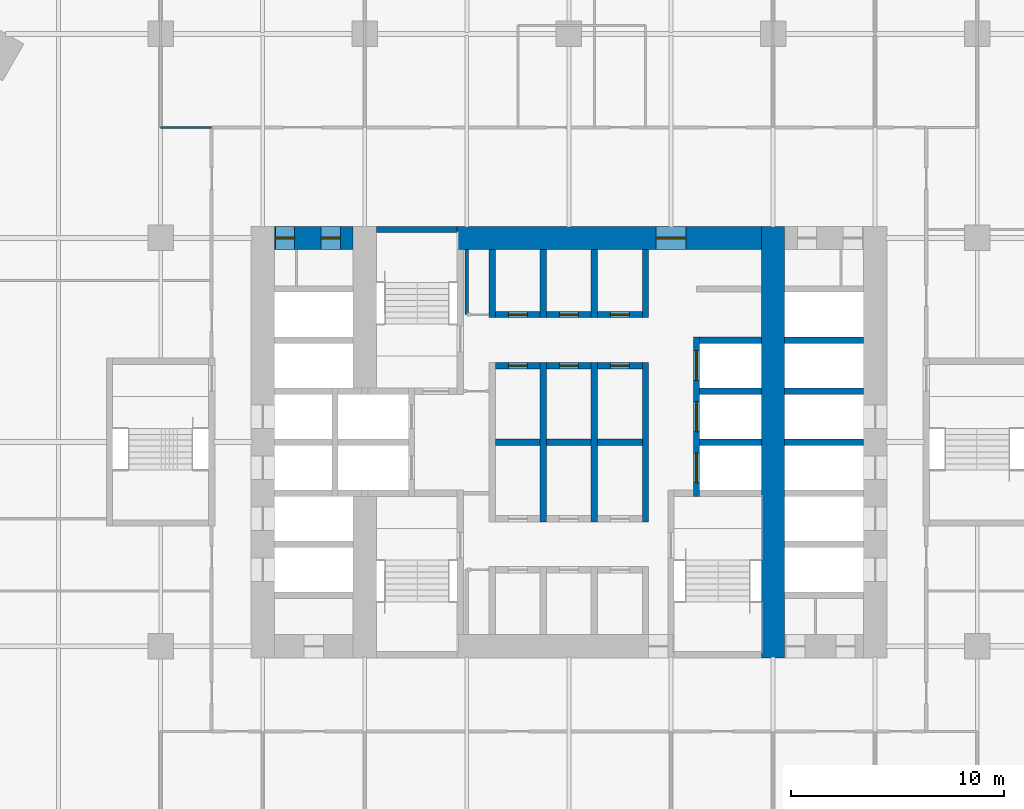
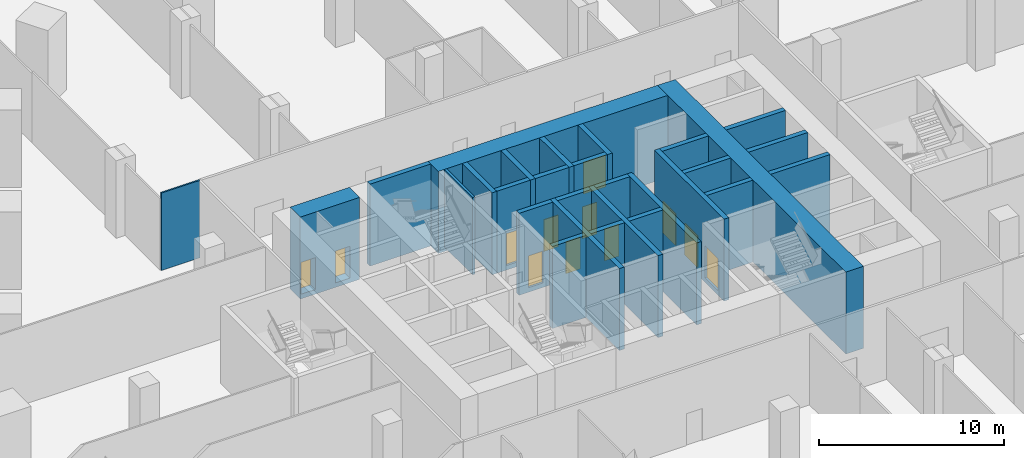
# One storey, part 20 of 34: 29 walls, 12 doors, 12 openings.
"""IFC4 building model written with IfcOpenShell, lengths in metres."""

from ifc_helpers import new_model, si_unit, direction, frame, frame_2d, origin, place, context, subcontext, project, spatial, rectangle, extrude, material, layer, layer_set, type_object, element, fill, save


model = new_model("IFC4")

# Units and contexts
model_context = context("Model", 3, precision=1e-05, world=origin(), true_north=direction((0.0, 1.0)))
body_context = subcontext(model_context, "Body", "Model", "MODEL_VIEW")
ifc_project = project(units=[si_unit("LENGTHUNIT", "METRE"), si_unit("AREAUNIT", "SQUARE_METRE"), si_unit("VOLUMEUNIT", "CUBIC_METRE"), si_unit("PLANEANGLEUNIT", "RADIAN"), si_unit("MASSUNIT", "GRAM", prefix="KILO")], contexts=[model_context])

# Site, building, storey
site_placement = place(None, origin())
site = spatial("IfcSite", under=ifc_project, at=site_placement, CompositionType="ELEMENT")
building_placement = place(site_placement, origin())
building = spatial("IfcBuilding", under=site, at=building_placement, Name="Kolab Exchange Tower", CompositionType="ELEMENT")
storey_placement = place(building_placement, frame((0.0, 0.0, 7.0)))
storey = spatial("IfcBuildingStorey", under=building, at=storey_placement, Name="L01", CompositionType="ELEMENT", Elevation=7.0)

# Wall, openings, doors
ifc_material_1 = material(Name="Concrete C80/95", Category="concrete")
ifc_layer_1 = layer(ifc_material_1, 1.10009765625)
ifc_layer_set_1 = layer_set([ifc_layer_1], Name="Concrete C80/95")
wall_type_1 = type_object("IfcWallType", Name="CORE WALL 1100 C80/95", PredefinedType="SHEAR", material=ifc_layer_set_1)
wall_1_placement = place(storey_placement, frame((-13.85009765625, 9.60009765625, -0.300048828125), z_axis=(0.0, 0.0, 1.0), x_axis=(1.0, 0.0, 0.0)))
wall_1 = element("IfcWall", 1, at=wall_1_placement, inside=storey, type_object=wall_type_1, Name="wall/L01/core/051", PredefinedType="SHEAR", context=body_context, shape_type="SweptSolid", body=[
    extrude(rectangle(XDim=3.7001953125, YDim=1.10009765625, at=frame_2d((1.85009765625, 0.0))), origin(), (0.0, 0.0, 1.0), 5.400146484375),
])
opening_1_placement = place(wall_1_placement, frame((0.050048828125, 0.0, 0.300048828125)))
opening_1 = element("IfcOpeningElement", 2, at=opening_1_placement, cuts=wall_1, Name="Opening D6-036", PredefinedType="OPENING", context=body_context, shape_type="SweptSolid", body=[
    extrude(rectangle(XDim=0.89990234375, YDim=2.10009765625, at=frame_2d((0.449951171875, 1.050048828125))), frame((0.0, 0.56005859375, 0.0), z_axis=(0.0, -1.0, 0.0), x_axis=(1.0, 0.0, 0.0)), (0.0, 0.0, 1.0), 1.1201171875),
])
opening_2_placement = place(wall_1_placement, frame((2.199951171875, 0.0, 0.300048828125)))
opening_2 = element("IfcOpeningElement", 3, at=opening_2_placement, cuts=wall_1, Name="Opening D6-037", PredefinedType="OPENING", context=body_context, shape_type="SweptSolid", body=[
    extrude(rectangle(XDim=0.89990234375, YDim=2.10009765625, at=frame_2d((0.449951171875, 1.050048828125))), frame((0.0, 0.56005859375, 0.0), z_axis=(0.0, -1.0, 0.0), x_axis=(1.0, 0.0, 0.0)), (0.0, 0.0, 1.0), 1.1201171875),
])
ifc_material_2 = material(Name="Steel S235", Category="steel")
door_type_1 = type_object("IfcDoorType", Name="CORE DOOR 900 EI 120", OperationType="SINGLE_SWING_LEFT", PredefinedType="DOOR", material=ifc_material_2)
door_1_placement = place(opening_1_placement, frame((0.89990234375, 0.0, 0.0), z_axis=(0.0, 0.0, 1.0), x_axis=(-1.0, 0.0, 0.0)))
door_1 = element("IfcDoor", 4, at=door_1_placement, inside=storey, type_object=door_type_1, Name="Service room door", OperationType="SINGLE_SWING_RIGHT", OverallHeight=2.10009765625, OverallWidth=0.89990234375, PredefinedType="DOOR", context=body_context, shape_type="SweptSolid", body=[
    extrude(rectangle(XDim=0.89990234375, YDim=2.10009765625, at=frame_2d((0.449951171875, 1.050048828125))), frame((0.0, 0.02490234375, 0.0), z_axis=(0.0, -1.0, 0.0), x_axis=(1.0, 0.0, 0.0)), (0.0, 0.0, 1.0), 0.050048828125),
])
fill(opening_1, door_1)
door_2_placement = place(opening_2_placement, frame((0.89990234375, 0.0, 0.0), z_axis=(0.0, 0.0, 1.0), x_axis=(-1.0, 0.0, 0.0)))
door_2 = element("IfcDoor", 5, at=door_2_placement, inside=storey, type_object=door_type_1, Name="Service room door", OperationType="SINGLE_SWING_RIGHT", OverallHeight=2.10009765625, OverallWidth=0.89990234375, PredefinedType="DOOR", context=body_context, shape_type="SweptSolid", body=[
    extrude(rectangle(XDim=0.89990234375, YDim=2.10009765625, at=frame_2d((0.449951171875, 1.050048828125))), frame((0.0, 0.02490234375, 0.0), z_axis=(0.0, -1.0, 0.0), x_axis=(1.0, 0.0, 0.0)), (0.0, 0.0, 1.0), 0.050048828125),
])
fill(opening_2, door_2)

# Wall, opening, door
wall_2_placement = place(storey_placement, frame((-5.25, 9.60009765625, -0.300048828125), z_axis=(0.0, 0.0, 1.0), x_axis=(1.0, 0.0, 0.0)))
wall_2 = element("IfcWall", 6, at=wall_2_placement, inside=storey, type_object=wall_type_1, Name="wall/L01/core/052", PredefinedType="SHEAR", context=body_context, shape_type="SweptSolid", body=[
    extrude(rectangle(XDim=14.300048828125, YDim=1.10009765625, at=frame_2d((7.14990234375, 0.0))), origin(), (0.0, 0.0, 1.0), 5.400146484375),
])
opening_3_placement = place(wall_2_placement, frame((9.35009765625, 0.0, 0.300048828125)))
opening_3 = element("IfcOpeningElement", 7, at=opening_3_placement, cuts=wall_2, Name="Opening D5-002", PredefinedType="OPENING", context=body_context, shape_type="SweptSolid", body=[
    extrude(rectangle(XDim=1.39990234375, YDim=2.10009765625, at=frame_2d((0.699951171875, 1.050048828125))), frame((0.0, 0.56005859375, 0.0), z_axis=(0.0, -1.0, 0.0), x_axis=(1.0, 0.0, 0.0)), (0.0, 0.0, 1.0), 1.1201171875),
])
door_type_2 = type_object("IfcDoorType", Name="CORE DOOR 1400 EI 120", OperationType="DOUBLE_DOOR_SINGLE_SWING", PredefinedType="DOOR", material=ifc_material_2)
door_3_placement = place(opening_3_placement, frame((1.39990234375, 0.0, 0.0), z_axis=(0.0, 0.0, 1.0), x_axis=(-1.0, 0.0, 0.0)))
door_3 = element("IfcDoor", 8, at=door_3_placement, inside=storey, type_object=door_type_2, Name="Core lobby door", OperationType="SINGLE_SWING_LEFT", OverallHeight=2.10009765625, OverallWidth=1.39990234375, PredefinedType="DOOR", context=body_context, shape_type="SweptSolid", body=[
    extrude(rectangle(XDim=1.39990234375, YDim=2.10009765625, at=frame_2d((0.699951171875, 1.050048828125))), frame((0.0, 0.02490234375, 0.0), z_axis=(0.0, -1.0, 0.0), x_axis=(1.0, 0.0, 0.0)), (0.0, 0.0, 1.0), 0.050048828125),
])
fill(opening_3, door_3)

# Walls
wall_3_placement = place(storey_placement, frame((9.60009765625, -10.14990234375, -0.300048828125), z_axis=(0.0, 0.0, 1.0), x_axis=(0.0, 1.0, 0.0)))
element("IfcWall", 9, at=wall_3_placement, inside=storey, type_object=wall_type_1, Name="wall/L01/core/080", PredefinedType="SHEAR", context=body_context, shape_type="SweptSolid", body=[
    extrude(rectangle(XDim=20.2998046875, YDim=1.10009765625, at=frame_2d((10.14990234375, 0.0))), origin(), (0.0, 0.0, 1.0), 5.400146484375),
])
ifc_material_3 = material(Name="Concrete C50/60", Category="concrete")
ifc_layer_2 = layer(ifc_material_3, 0.300048828125)
ifc_layer_set_2 = layer_set([ifc_layer_2], Name="Concrete C50/60")
wall_type_2 = type_object("IfcWallType", Name="LIFT SHAFT WALL 300 C50/60", PredefinedType="STANDARD", material=ifc_layer_set_2)
wall_4_placement = place(storey_placement, frame((-3.449951171875, 0.0, -0.300048828125), z_axis=(0.0, 0.0, 1.0), x_axis=(1.0, 0.0, 0.0)))
element("IfcWall", 10, at=wall_4_placement, inside=storey, type_object=wall_type_2, Name="wall/L01/core/026", PredefinedType="STANDARD", context=body_context, shape_type="SweptSolid", body=[
    extrude(rectangle(XDim=2.099853515625, YDim=0.300048828125, at=frame_2d((1.0498046875, 0.0))), origin(), (0.0, 0.0, 1.0), 5.400146484375),
])
wall_5_placement = place(storey_placement, frame((-1.050048828125, 0.0, -0.300048828125), z_axis=(0.0, 0.0, 1.0), x_axis=(1.0, 0.0, 0.0)))
element("IfcWall", 11, at=wall_5_placement, inside=storey, type_object=wall_type_2, Name="wall/L01/core/027", PredefinedType="STANDARD", context=body_context, shape_type="SweptSolid", body=[
    extrude(rectangle(XDim=2.10009765625, YDim=0.300048828125, at=frame_2d((1.050048828125, 0.0))), origin(), (0.0, 0.0, 1.0), 5.400146484375),
])
wall_6_placement = place(storey_placement, frame((1.35009765625, 0.0, -0.300048828125), z_axis=(0.0, 0.0, 1.0), x_axis=(1.0, 0.0, 0.0)))
element("IfcWall", 12, at=wall_6_placement, inside=storey, type_object=wall_type_2, Name="wall/L01/core/028", PredefinedType="STANDARD", context=body_context, shape_type="SweptSolid", body=[
    extrude(rectangle(XDim=2.099853515625, YDim=0.300048828125, at=frame_2d((1.0498046875, 0.0))), origin(), (0.0, 0.0, 1.0), 5.400146484375),
])
wall_7_placement = place(storey_placement, frame((6.14990234375, 0.0, -0.300048828125), z_axis=(0.0, 0.0, 1.0), x_axis=(1.0, 0.0, 0.0)))
element("IfcWall", 13, at=wall_7_placement, inside=storey, type_object=wall_type_2, Name="wall/L01/core/029", PredefinedType="STANDARD", context=body_context, shape_type="SweptSolid", body=[
    extrude(rectangle(XDim=2.900146484375, YDim=0.300048828125, at=frame_2d((1.4501953125, 0.0))), origin(), (0.0, 0.0, 1.0), 5.400146484375),
])
wall_8_placement = place(storey_placement, frame((10.14990234375, 0.0, -0.300048828125), z_axis=(0.0, 0.0, 1.0), x_axis=(1.0, 0.0, 0.0)))
element("IfcWall", 14, at=wall_8_placement, inside=storey, type_object=wall_type_2, Name="wall/L01/core/030", PredefinedType="STANDARD", context=body_context, shape_type="SweptSolid", body=[
    extrude(rectangle(XDim=3.7001953125, YDim=0.300048828125, at=frame_2d((1.85009765625, 0.0))), origin(), (0.0, 0.0, 1.0), 5.400146484375),
])
wall_9_placement = place(storey_placement, frame((6.14990234375, 2.39990234375, -0.300048828125), z_axis=(0.0, 0.0, 1.0), x_axis=(1.0, 0.0, 0.0)))
element("IfcWall", 15, at=wall_9_placement, inside=storey, type_object=wall_type_2, Name="wall/L01/core/035", PredefinedType="STANDARD", context=body_context, shape_type="SweptSolid", body=[
    extrude(rectangle(XDim=2.900146484375, YDim=0.300048828125, at=frame_2d((1.4501953125, 0.0))), origin(), (0.0, 0.0, 1.0), 5.400146484375),
])
wall_10_placement = place(storey_placement, frame((10.14990234375, 2.39990234375, -0.300048828125), z_axis=(0.0, 0.0, 1.0), x_axis=(1.0, 0.0, 0.0)))
element("IfcWall", 16, at=wall_10_placement, inside=storey, type_object=wall_type_2, Name="wall/L01/core/036", PredefinedType="STANDARD", context=body_context, shape_type="SweptSolid", body=[
    extrude(rectangle(XDim=3.7001953125, YDim=0.300048828125, at=frame_2d((1.85009765625, 0.0))), origin(), (0.0, 0.0, 1.0), 5.400146484375),
])

# Wall, opening, door
wall_11_placement = place(storey_placement, frame((-3.449951171875, 3.60009765625, -0.300048828125), z_axis=(0.0, 0.0, 1.0), x_axis=(1.0, 0.0, 0.0)))
wall_11 = element("IfcWall", 17, at=wall_11_placement, inside=storey, type_object=wall_type_2, Name="wall/L01/core/037", PredefinedType="STANDARD", context=body_context, shape_type="SweptSolid", body=[
    extrude(rectangle(XDim=2.099853515625, YDim=0.300048828125, at=frame_2d((1.0498046875, 0.0))), origin(), (0.0, 0.0, 1.0), 5.400146484375),
])
opening_4_placement = place(wall_11_placement, frame((0.60009765625, 0.0, 0.300048828125)))
opening_4 = element("IfcOpeningElement", 18, at=opening_4_placement, cuts=wall_11, Name="Opening D6-027", PredefinedType="OPENING", context=body_context, shape_type="SweptSolid", body=[
    extrude(rectangle(XDim=0.89990234375, YDim=2.10009765625, at=frame_2d((0.449951171875, 1.050048828125))), frame((0.0, 0.16015625, 0.0), z_axis=(0.0, -1.0, 0.0), x_axis=(1.0, 0.0, 0.0)), (0.0, 0.0, 1.0), 0.320068359375),
])
door_4_placement = place(opening_4_placement, frame((0.89990234375, 0.0, 0.0), z_axis=(0.0, 0.0, 1.0), x_axis=(-1.0, 0.0, 0.0)))
door_4 = element("IfcDoor", 19, at=door_4_placement, inside=storey, type_object=door_type_1, Name="Service room door", OperationType="SINGLE_SWING_LEFT", OverallHeight=2.10009765625, OverallWidth=0.89990234375, PredefinedType="DOOR", context=body_context, shape_type="SweptSolid", body=[
    extrude(rectangle(XDim=0.89990234375, YDim=2.10009765625, at=frame_2d((0.449951171875, 1.050048828125))), frame((0.0, 0.02490234375, 0.0), z_axis=(0.0, -1.0, 0.0), x_axis=(1.0, 0.0, 0.0)), (0.0, 0.0, 1.0), 0.050048828125),
])
fill(opening_4, door_4)

wall_12_placement = place(storey_placement, frame((-1.050048828125, 3.60009765625, -0.300048828125), z_axis=(0.0, 0.0, 1.0), x_axis=(1.0, 0.0, 0.0)))
wall_12 = element("IfcWall", 20, at=wall_12_placement, inside=storey, type_object=wall_type_2, Name="wall/L01/core/038", PredefinedType="STANDARD", context=body_context, shape_type="SweptSolid", body=[
    extrude(rectangle(XDim=2.10009765625, YDim=0.300048828125, at=frame_2d((1.050048828125, 0.0))), origin(), (0.0, 0.0, 1.0), 5.400146484375),
])
opening_5_placement = place(wall_12_placement, frame((0.60009765625, 0.0, 0.300048828125)))
opening_5 = element("IfcOpeningElement", 21, at=opening_5_placement, cuts=wall_12, Name="Opening D6-026", PredefinedType="OPENING", context=body_context, shape_type="SweptSolid", body=[
    extrude(rectangle(XDim=0.89990234375, YDim=2.10009765625, at=frame_2d((0.449951171875, 1.050048828125))), frame((0.0, 0.16015625, 0.0), z_axis=(0.0, -1.0, 0.0), x_axis=(1.0, 0.0, 0.0)), (0.0, 0.0, 1.0), 0.320068359375),
])
door_5_placement = place(opening_5_placement, frame((0.89990234375, 0.0, 0.0), z_axis=(0.0, 0.0, 1.0), x_axis=(-1.0, 0.0, 0.0)))
door_5 = element("IfcDoor", 22, at=door_5_placement, inside=storey, type_object=door_type_1, Name="Service room door", OperationType="SINGLE_SWING_RIGHT", OverallHeight=2.10009765625, OverallWidth=0.89990234375, PredefinedType="DOOR", context=body_context, shape_type="SweptSolid", body=[
    extrude(rectangle(XDim=0.89990234375, YDim=2.10009765625, at=frame_2d((0.449951171875, 1.050048828125))), frame((0.0, 0.02490234375, 0.0), z_axis=(0.0, -1.0, 0.0), x_axis=(1.0, 0.0, 0.0)), (0.0, 0.0, 1.0), 0.050048828125),
])
fill(opening_5, door_5)

wall_13_placement = place(storey_placement, frame((1.35009765625, 3.60009765625, -0.300048828125), z_axis=(0.0, 0.0, 1.0), x_axis=(1.0, 0.0, 0.0)))
wall_13 = element("IfcWall", 23, at=wall_13_placement, inside=storey, type_object=wall_type_2, Name="wall/L01/core/039", PredefinedType="STANDARD", context=body_context, shape_type="SweptSolid", body=[
    extrude(rectangle(XDim=2.099853515625, YDim=0.300048828125, at=frame_2d((1.0498046875, 0.0))), origin(), (0.0, 0.0, 1.0), 5.400146484375),
])
opening_6_placement = place(wall_13_placement, frame((0.60009765625, 0.0, 0.300048828125)))
opening_6 = element("IfcOpeningElement", 24, at=opening_6_placement, cuts=wall_13, Name="Opening D6-025", PredefinedType="OPENING", context=body_context, shape_type="SweptSolid", body=[
    extrude(rectangle(XDim=0.89990234375, YDim=2.10009765625, at=frame_2d((0.449951171875, 1.050048828125))), frame((0.0, 0.16015625, 0.0), z_axis=(0.0, -1.0, 0.0), x_axis=(1.0, 0.0, 0.0)), (0.0, 0.0, 1.0), 0.320068359375),
])
door_6_placement = place(opening_6_placement, frame((0.89990234375, 0.0, 0.0), z_axis=(0.0, 0.0, 1.0), x_axis=(-1.0, 0.0, 0.0)))
door_6 = element("IfcDoor", 25, at=door_6_placement, inside=storey, type_object=door_type_1, Name="Service room door", OperationType="SINGLE_SWING_RIGHT", OverallHeight=2.10009765625, OverallWidth=0.89990234375, PredefinedType="DOOR", context=body_context, shape_type="SweptSolid", body=[
    extrude(rectangle(XDim=0.89990234375, YDim=2.10009765625, at=frame_2d((0.449951171875, 1.050048828125))), frame((0.0, 0.02490234375, 0.0), z_axis=(0.0, -1.0, 0.0), x_axis=(1.0, 0.0, 0.0)), (0.0, 0.0, 1.0), 0.050048828125),
])
fill(opening_6, door_6)

# Walls
wall_14_placement = place(storey_placement, frame((6.14990234375, 4.800048828125, -0.300048828125), z_axis=(0.0, 0.0, 1.0), x_axis=(1.0, 0.0, 0.0)))
element("IfcWall", 26, at=wall_14_placement, inside=storey, type_object=wall_type_2, Name="wall/L01/core/043", PredefinedType="STANDARD", context=body_context, shape_type="SweptSolid", body=[
    extrude(rectangle(XDim=2.900146484375, YDim=0.300048828125, at=frame_2d((1.4501953125, 0.0))), origin(), (0.0, 0.0, 1.0), 5.400146484375),
])
wall_15_placement = place(storey_placement, frame((10.14990234375, 4.800048828125, -0.300048828125), z_axis=(0.0, 0.0, 1.0), x_axis=(1.0, 0.0, 0.0)))
element("IfcWall", 27, at=wall_15_placement, inside=storey, type_object=wall_type_2, Name="wall/L01/core/044", PredefinedType="STANDARD", context=body_context, shape_type="SweptSolid", body=[
    extrude(rectangle(XDim=3.7001953125, YDim=0.300048828125, at=frame_2d((1.85009765625, 0.0))), origin(), (0.0, 0.0, 1.0), 5.400146484375),
])

# Wall, opening, door
wall_16_placement = place(storey_placement, frame((-3.449951171875, 6.0, -0.300048828125), z_axis=(0.0, 0.0, 1.0), x_axis=(1.0, 0.0, 0.0)))
wall_16 = element("IfcWall", 28, at=wall_16_placement, inside=storey, type_object=wall_type_2, Name="wall/L01/core/045", PredefinedType="STANDARD", context=body_context, shape_type="SweptSolid", body=[
    extrude(rectangle(XDim=2.099853515625, YDim=0.300048828125, at=frame_2d((1.0498046875, 0.0))), origin(), (0.0, 0.0, 1.0), 5.400146484375),
])
opening_7_placement = place(wall_16_placement, frame((0.60009765625, 0.0, 0.300048828125)))
opening_7 = element("IfcOpeningElement", 29, at=opening_7_placement, cuts=wall_16, Name="Opening D6-024", PredefinedType="OPENING", context=body_context, shape_type="SweptSolid", body=[
    extrude(rectangle(XDim=0.89990234375, YDim=2.10009765625, at=frame_2d((0.449951171875, 1.050048828125))), frame((0.0, 0.16015625, 0.0), z_axis=(0.0, -1.0, 0.0), x_axis=(1.0, 0.0, 0.0)), (0.0, 0.0, 1.0), 0.320068359375),
])
door_7_placement = place(opening_7_placement, origin())
door_7 = element("IfcDoor", 30, at=door_7_placement, inside=storey, type_object=door_type_1, Name="Service room door", OperationType="SINGLE_SWING_LEFT", OverallHeight=2.10009765625, OverallWidth=0.89990234375, PredefinedType="DOOR", context=body_context, shape_type="SweptSolid", body=[
    extrude(rectangle(XDim=0.89990234375, YDim=2.10009765625, at=frame_2d((0.449951171875, 1.050048828125))), frame((0.0, 0.02490234375, 0.0), z_axis=(0.0, -1.0, 0.0), x_axis=(1.0, 0.0, 0.0)), (0.0, 0.0, 1.0), 0.050048828125),
])
fill(opening_7, door_7)

wall_17_placement = place(storey_placement, frame((-1.050048828125, 6.0, -0.300048828125), z_axis=(0.0, 0.0, 1.0), x_axis=(1.0, 0.0, 0.0)))
wall_17 = element("IfcWall", 31, at=wall_17_placement, inside=storey, type_object=wall_type_2, Name="wall/L01/core/046", PredefinedType="STANDARD", context=body_context, shape_type="SweptSolid", body=[
    extrude(rectangle(XDim=2.10009765625, YDim=0.300048828125, at=frame_2d((1.050048828125, 0.0))), origin(), (0.0, 0.0, 1.0), 5.400146484375),
])
opening_8_placement = place(wall_17_placement, frame((0.60009765625, 0.0, 0.300048828125)))
opening_8 = element("IfcOpeningElement", 32, at=opening_8_placement, cuts=wall_17, Name="Opening D6-023", PredefinedType="OPENING", context=body_context, shape_type="SweptSolid", body=[
    extrude(rectangle(XDim=0.89990234375, YDim=2.10009765625, at=frame_2d((0.449951171875, 1.050048828125))), frame((0.0, 0.16015625, 0.0), z_axis=(0.0, -1.0, 0.0), x_axis=(1.0, 0.0, 0.0)), (0.0, 0.0, 1.0), 0.320068359375),
])
door_8_placement = place(opening_8_placement, origin())
door_8 = element("IfcDoor", 33, at=door_8_placement, inside=storey, type_object=door_type_1, Name="Service room door", OperationType="SINGLE_SWING_LEFT", OverallHeight=2.10009765625, OverallWidth=0.89990234375, PredefinedType="DOOR", context=body_context, shape_type="SweptSolid", body=[
    extrude(rectangle(XDim=0.89990234375, YDim=2.10009765625, at=frame_2d((0.449951171875, 1.050048828125))), frame((0.0, 0.02490234375, 0.0), z_axis=(0.0, -1.0, 0.0), x_axis=(1.0, 0.0, 0.0)), (0.0, 0.0, 1.0), 0.050048828125),
])
fill(opening_8, door_8)

wall_18_placement = place(storey_placement, frame((1.35009765625, 6.0, -0.300048828125), z_axis=(0.0, 0.0, 1.0), x_axis=(1.0, 0.0, 0.0)))
wall_18 = element("IfcWall", 34, at=wall_18_placement, inside=storey, type_object=wall_type_2, Name="wall/L01/core/047", PredefinedType="STANDARD", context=body_context, shape_type="SweptSolid", body=[
    extrude(rectangle(XDim=2.099853515625, YDim=0.300048828125, at=frame_2d((1.0498046875, 0.0))), origin(), (0.0, 0.0, 1.0), 5.400146484375),
])
opening_9_placement = place(wall_18_placement, frame((0.60009765625, 0.0, 0.300048828125)))
opening_9 = element("IfcOpeningElement", 35, at=opening_9_placement, cuts=wall_18, Name="Opening D6-022", PredefinedType="OPENING", context=body_context, shape_type="SweptSolid", body=[
    extrude(rectangle(XDim=0.89990234375, YDim=2.10009765625, at=frame_2d((0.449951171875, 1.050048828125))), frame((0.0, 0.16015625, 0.0), z_axis=(0.0, -1.0, 0.0), x_axis=(1.0, 0.0, 0.0)), (0.0, 0.0, 1.0), 0.320068359375),
])
door_9_placement = place(opening_9_placement, origin())
door_9 = element("IfcDoor", 36, at=door_9_placement, inside=storey, type_object=door_type_1, Name="Service room door", OperationType="SINGLE_SWING_RIGHT", OverallHeight=2.10009765625, OverallWidth=0.89990234375, PredefinedType="DOOR", context=body_context, shape_type="SweptSolid", body=[
    extrude(rectangle(XDim=0.89990234375, YDim=2.10009765625, at=frame_2d((0.449951171875, 1.050048828125))), frame((0.0, 0.02490234375, 0.0), z_axis=(0.0, -1.0, 0.0), x_axis=(1.0, 0.0, 0.0)), (0.0, 0.0, 1.0), 0.050048828125),
])
fill(opening_9, door_9)

# Walls
wall_19_placement = place(storey_placement, frame((-3.60009765625, 5.85009765625, -0.300048828125), z_axis=(0.0, 0.0, 1.0), x_axis=(0.0, 1.0, 0.0)))
element("IfcWall", 37, at=wall_19_placement, inside=storey, type_object=wall_type_2, Name="wall/L01/core/068", PredefinedType="STANDARD", context=body_context, shape_type="SweptSolid", body=[
    extrude(rectangle(XDim=3.199951171875, YDim=0.300048828125, at=frame_2d((1.60009765625, 0.0))), origin(), (0.0, 0.0, 1.0), 5.400146484375),
])
wall_20_placement = place(storey_placement, frame((-1.199951171875, -3.75, -0.300048828125), z_axis=(0.0, 0.0, 1.0), x_axis=(0.0, 1.0, 0.0)))
element("IfcWall", 38, at=wall_20_placement, inside=storey, type_object=wall_type_2, Name="wall/L01/core/070", PredefinedType="STANDARD", context=body_context, shape_type="SweptSolid", body=[
    extrude(rectangle(XDim=7.5, YDim=0.300048828125, at=frame_2d((3.75, 0.0))), origin(), (0.0, 0.0, 1.0), 5.400146484375),
])
wall_21_placement = place(storey_placement, frame((-1.199951171875, 5.85009765625, -0.300048828125), z_axis=(0.0, 0.0, 1.0), x_axis=(0.0, 1.0, 0.0)))
element("IfcWall", 39, at=wall_21_placement, inside=storey, type_object=wall_type_2, Name="wall/L01/core/071", PredefinedType="STANDARD", context=body_context, shape_type="SweptSolid", body=[
    extrude(rectangle(XDim=3.199951171875, YDim=0.300048828125, at=frame_2d((1.60009765625, 0.0))), origin(), (0.0, 0.0, 1.0), 5.400146484375),
])
wall_22_placement = place(storey_placement, frame((1.199951171875, -3.75, -0.300048828125), z_axis=(0.0, 0.0, 1.0), x_axis=(0.0, 1.0, 0.0)))
element("IfcWall", 40, at=wall_22_placement, inside=storey, type_object=wall_type_2, Name="wall/L01/core/073", PredefinedType="STANDARD", context=body_context, shape_type="SweptSolid", body=[
    extrude(rectangle(XDim=7.5, YDim=0.300048828125, at=frame_2d((3.75, 0.0))), origin(), (0.0, 0.0, 1.0), 5.400146484375),
])
wall_23_placement = place(storey_placement, frame((1.199951171875, 5.85009765625, -0.300048828125), z_axis=(0.0, 0.0, 1.0), x_axis=(0.0, 1.0, 0.0)))
element("IfcWall", 41, at=wall_23_placement, inside=storey, type_object=wall_type_2, Name="wall/L01/core/074", PredefinedType="STANDARD", context=body_context, shape_type="SweptSolid", body=[
    extrude(rectangle(XDim=3.199951171875, YDim=0.300048828125, at=frame_2d((1.60009765625, 0.0))), origin(), (0.0, 0.0, 1.0), 5.400146484375),
])
wall_24_placement = place(storey_placement, frame((3.60009765625, -3.75, -0.300048828125), z_axis=(0.0, 0.0, 1.0), x_axis=(0.0, 1.0, 0.0)))
element("IfcWall", 42, at=wall_24_placement, inside=storey, type_object=wall_type_2, Name="wall/L01/core/076", PredefinedType="STANDARD", context=body_context, shape_type="SweptSolid", body=[
    extrude(rectangle(XDim=7.5, YDim=0.300048828125, at=frame_2d((3.75, 0.0))), origin(), (0.0, 0.0, 1.0), 5.400146484375),
])
wall_25_placement = place(storey_placement, frame((3.60009765625, 5.85009765625, -0.300048828125), z_axis=(0.0, 0.0, 1.0), x_axis=(0.0, 1.0, 0.0)))
element("IfcWall", 43, at=wall_25_placement, inside=storey, type_object=wall_type_2, Name="wall/L01/core/077", PredefinedType="STANDARD", context=body_context, shape_type="SweptSolid", body=[
    extrude(rectangle(XDim=3.199951171875, YDim=0.300048828125, at=frame_2d((1.60009765625, 0.0))), origin(), (0.0, 0.0, 1.0), 5.400146484375),
])

# Wall, openings, doors
wall_26_placement = place(storey_placement, frame((6.0, -2.550048828125, -0.300048828125), z_axis=(0.0, 0.0, 1.0), x_axis=(0.0, 1.0, 0.0)))
wall_26 = element("IfcWall", 44, at=wall_26_placement, inside=storey, type_object=wall_type_2, Name="wall/L01/core/079", PredefinedType="STANDARD", context=body_context, shape_type="SweptSolid", body=[
    extrude(rectangle(XDim=7.5, YDim=0.300048828125, at=frame_2d((3.75, 0.0))), origin(), (0.0, 0.0, 1.0), 5.400146484375),
])
opening_10_placement = place(wall_26_placement, frame((0.64990234375, 0.0, 0.300048828125)))
opening_10 = element("IfcOpeningElement", 45, at=opening_10_placement, cuts=wall_26, Name="Opening LD3-004", PredefinedType="OPENING", context=body_context, shape_type="SweptSolid", body=[
    extrude(rectangle(XDim=1.39990234375, YDim=2.10009765625, at=frame_2d((0.699951171875, 1.050048828125))), frame((0.0, 0.16015625, 0.0), z_axis=(0.0, -1.0, 0.0), x_axis=(1.0, 0.0, 0.0)), (0.0, 0.0, 1.0), 0.320068359375),
])
opening_11_placement = place(wall_26_placement, frame((3.050048828125, 0.0, 0.300048828125)))
opening_11 = element("IfcOpeningElement", 46, at=opening_11_placement, cuts=wall_26, Name="Opening LD3-005", PredefinedType="OPENING", context=body_context, shape_type="SweptSolid", body=[
    extrude(rectangle(XDim=1.39990234375, YDim=2.10009765625, at=frame_2d((0.699951171875, 1.050048828125))), frame((0.0, 0.16015625, 0.0), z_axis=(0.0, -1.0, 0.0), x_axis=(1.0, 0.0, 0.0)), (0.0, 0.0, 1.0), 0.320068359375),
])
opening_12_placement = place(wall_26_placement, frame((5.449951171875, 0.0, 0.300048828125)))
opening_12 = element("IfcOpeningElement", 47, at=opening_12_placement, cuts=wall_26, Name="Opening LD3-006", PredefinedType="OPENING", context=body_context, shape_type="SweptSolid", body=[
    extrude(rectangle(XDim=1.39990234375, YDim=2.10009765625, at=frame_2d((0.699951171875, 1.050048828125))), frame((0.0, 0.16015625, 0.0), z_axis=(0.0, -1.0, 0.0), x_axis=(1.0, 0.0, 0.0)), (0.0, 0.0, 1.0), 0.320068359375),
])
ifc_material_4 = material(Name="Stainless steel 316", Category="steel")
door_type_3 = type_object("IfcDoorType", Name="LANDING DOOR 1400 SERVICE", OperationType="DOUBLE_DOOR_SLIDING", PredefinedType="DOOR", material=ifc_material_4)
door_10_placement = place(opening_10_placement, origin())
door_10 = element("IfcDoor", 48, at=door_10_placement, inside=storey, type_object=door_type_3, Name="Landing door SV1", OperationType="DOUBLE_DOOR_SLIDING", OverallHeight=2.10009765625, OverallWidth=1.39990234375, PredefinedType="DOOR", context=body_context, shape_type="SweptSolid", body=[
    extrude(rectangle(XDim=1.39990234375, YDim=2.10009765625, at=frame_2d((0.699951171875, 1.050048828125))), frame((0.0, 0.02490234375, 0.0), z_axis=(0.0, -1.0, 0.0), x_axis=(1.0, 0.0, 0.0)), (0.0, 0.0, 1.0), 0.050048828125),
])
fill(opening_10, door_10)
door_11_placement = place(opening_11_placement, origin())
door_11 = element("IfcDoor", 49, at=door_11_placement, inside=storey, type_object=door_type_3, Name="Landing door SV2", OperationType="DOUBLE_DOOR_SLIDING", OverallHeight=2.10009765625, OverallWidth=1.39990234375, PredefinedType="DOOR", context=body_context, shape_type="SweptSolid", body=[
    extrude(rectangle(XDim=1.39990234375, YDim=2.10009765625, at=frame_2d((0.699951171875, 1.050048828125))), frame((0.0, 0.02490234375, 0.0), z_axis=(0.0, -1.0, 0.0), x_axis=(1.0, 0.0, 0.0)), (0.0, 0.0, 1.0), 0.050048828125),
])
fill(opening_11, door_11)
door_12_placement = place(opening_12_placement, origin())
door_12 = element("IfcDoor", 50, at=door_12_placement, inside=storey, type_object=door_type_3, Name="Landing door SV3", OperationType="DOUBLE_DOOR_SLIDING", OverallHeight=2.10009765625, OverallWidth=1.39990234375, PredefinedType="DOOR", context=body_context, shape_type="SweptSolid", body=[
    extrude(rectangle(XDim=1.39990234375, YDim=2.10009765625, at=frame_2d((0.699951171875, 1.050048828125))), frame((0.0, 0.02490234375, 0.0), z_axis=(0.0, -1.0, 0.0), x_axis=(1.0, 0.0, 0.0)), (0.0, 0.0, 1.0), 0.050048828125),
])
fill(opening_12, door_12)

# Walls
ifc_material_5 = material(Name="Gypsum board", Category="gypsum")
ifc_layer_3 = layer(ifc_material_5, 0.10009765625)
ifc_layer_set_3 = layer_set([ifc_layer_3], Name="Gypsum board")
wall_type_3 = type_object("IfcWallType", Name="PARTITION 100", PredefinedType="PARTITIONING", material=ifc_layer_set_3)
wall_27_placement = place(storey_placement, frame((-19.199951171875, 14.800048828125, 0.0), z_axis=(0.0, 0.0, 1.0), x_axis=(1.0, 0.0, 0.0)))
element("IfcWall", 51, at=wall_27_placement, inside=storey, type_object=wall_type_3, Name="Partition 036", PredefinedType="PARTITIONING", context=body_context, shape_type="SweptSolid", body=[
    extrude(rectangle(XDim=2.39990234375, YDim=0.10009765625, at=frame_2d((1.199951171875, 0.0))), origin(), (0.0, 0.0, 1.0), 5.10009765625),
])
ifc_layer_4 = layer(ifc_material_5, 0.14990234375)
ifc_layer_set_4 = layer_set([ifc_layer_4], Name="Gypsum board")
wall_type_4 = type_object("IfcWallType", Name="PARTITION 150 FIRE-RATED", PredefinedType="PARTITIONING", material=ifc_layer_set_4)
wall_28_placement = place(storey_placement, frame((-4.800048828125, 6.0, 0.0), z_axis=(0.0, 0.0, 1.0), x_axis=(0.0, 1.0, 0.0)))
element("IfcWall", 52, at=wall_28_placement, inside=storey, type_object=wall_type_4, Name="Partition 015", PredefinedType="PARTITIONING", context=body_context, shape_type="SweptSolid", body=[
    extrude(rectangle(XDim=3.050048828125, YDim=0.14990234375, at=frame_2d((1.52490234375, 0.0))), origin(), (0.0, 0.0, 1.0), 5.10009765625),
])
ifc_layer_5 = layer(ifc_material_3, 0.300048828125)
ifc_layer_set_5 = layer_set([ifc_layer_5], Name="Concrete C50/60")
wall_type_5 = type_object("IfcWallType", Name="STAIR ENCLOSURE WALL 300 C50/60", PredefinedType="STANDARD", material=ifc_layer_set_5)
wall_29_placement = place(storey_placement, frame((-9.050048828125, 10.0, -0.300048828125), z_axis=(0.0, 0.0, 1.0), x_axis=(1.0, 0.0, 0.0)))
element("IfcWall", 53, at=wall_29_placement, inside=storey, type_object=wall_type_5, Name="wall/L01/core/054", PredefinedType="STANDARD", context=body_context, shape_type="SweptSolid", body=[
    extrude(rectangle(XDim=3.800048828125, YDim=0.300048828125, at=frame_2d((1.89990234375, 0.0))), origin(), (0.0, 0.0, 1.0), 5.400146484375),
])

save(model, "model.ifc")
